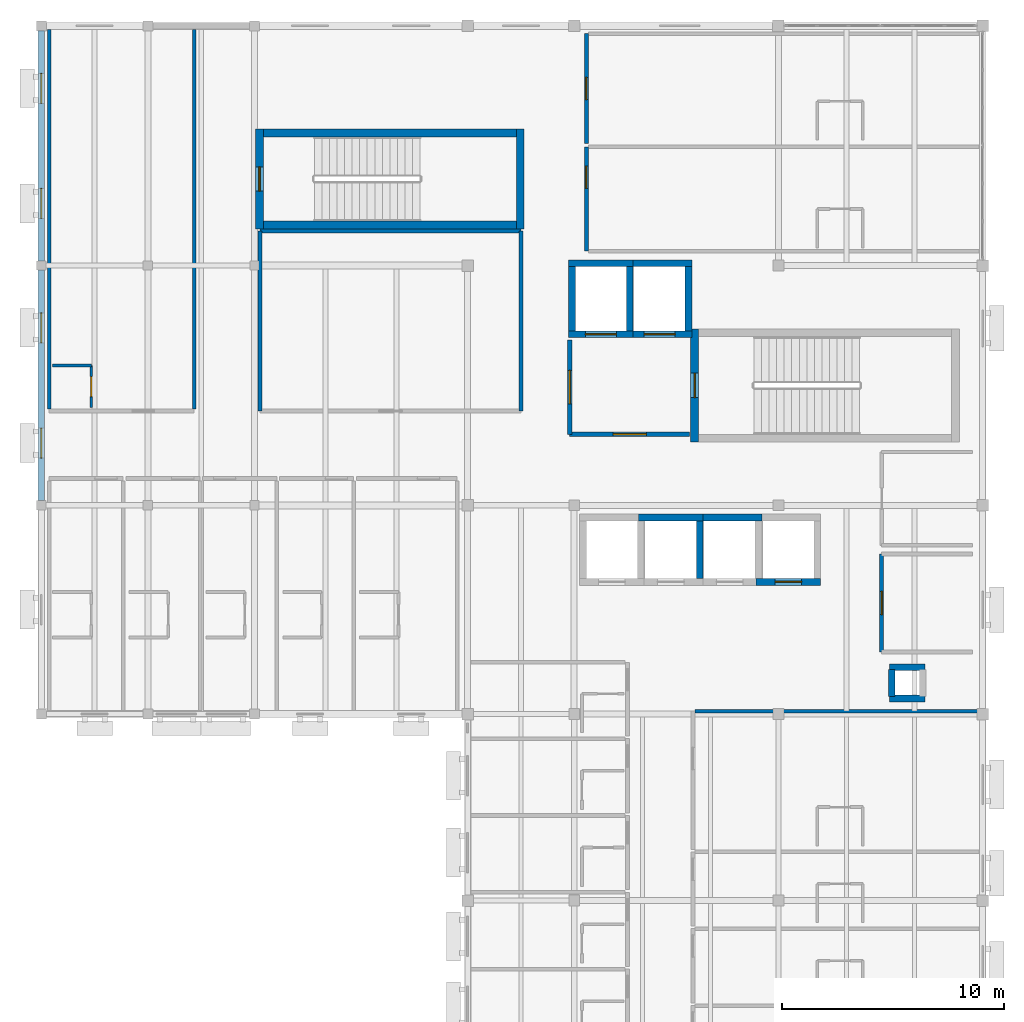
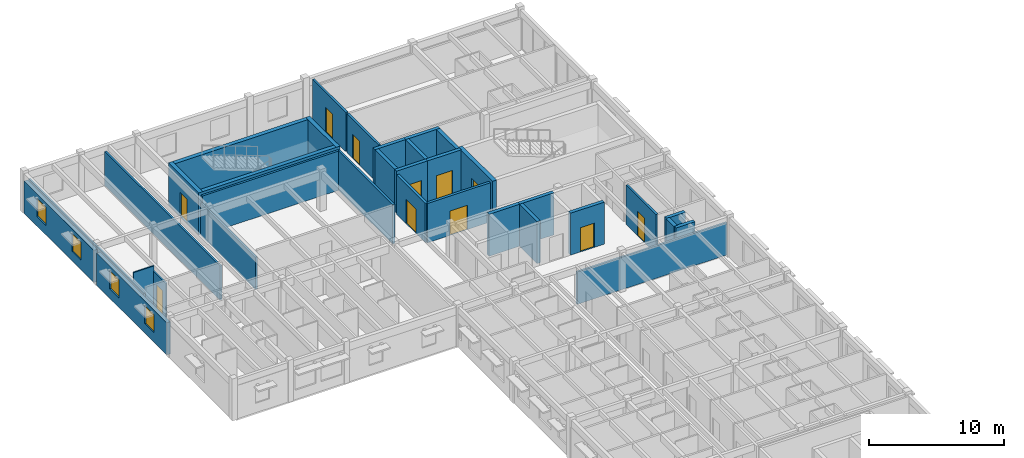
# One storey, part 14 of 20: 34 walls, 11 doors, 4 windows, 15 openings.
"""IFC4 building model written with IfcOpenShell, lengths in metres."""

from ifc_helpers import new_model, si_unit, direction, frame, frame_2d, origin, place, context, subcontext, project, spatial, rectangle, extrude, material, layer, layer_set, type_object, element, fill, save


model = new_model("IFC4")

# Units and contexts
model_context = context("Model", 3, precision=1e-05, world=origin(), true_north=direction((0.0, 1.0)))
body_context = subcontext(model_context, "Body", "Model", "MODEL_VIEW")
ifc_project = project(units=[si_unit("LENGTHUNIT", "METRE"), si_unit("AREAUNIT", "SQUARE_METRE"), si_unit("VOLUMEUNIT", "CUBIC_METRE"), si_unit("PLANEANGLEUNIT", "RADIAN"), si_unit("MASSUNIT", "GRAM", prefix="KILO")], contexts=[model_context])

# Site, building, storey
site_placement = place(None, origin())
site = spatial("IfcSite", under=ifc_project, at=site_placement, CompositionType="ELEMENT")
building_placement = place(site_placement, origin())
building = spatial("IfcBuilding", under=site, at=building_placement, Name="Veldera Park Congress Hotel", CompositionType="ELEMENT")
storey_placement = place(building_placement, frame((0.0, 0.0, 27.60009765625)))
storey = spatial("IfcBuildingStorey", under=building, at=storey_placement, Name="L06", CompositionType="ELEMENT", Elevation=27.60009765625)

# Wall, openings, windows
ifc_material_1 = material(Name="Cross-laminated timber CLT V2M1.1", Category="wood")
ifc_layer_1 = layer(ifc_material_1, 0.300048828125)
ifc_layer_set_1 = layer_set([ifc_layer_1], Name="Cross-laminated timber CLT V2M1.1")
wall_type_1 = type_object("IfcWallType", Name="EW-CLT300", PredefinedType="STANDARD", material=ifc_layer_set_1)
wall_1_placement = place(storey_placement, frame((41.60009765625, 57.777099609375, 0.0), z_axis=(0.0, 0.0, 1.0), x_axis=(0.0, -1.0, 0.0)))
wall_1 = element("IfcWall", 1, at=wall_1_placement, inside=storey, type_object=wall_type_1, Name="L06 Exterior Wall EW3-L06-0326", PredefinedType="STANDARD", context=body_context, shape_type="SweptSolid", body=[
    extrude(rectangle(XDim=10.369140625, YDim=0.300048828125, at=frame_2d((5.1845703125, 0.0))), origin(), (0.0, 0.0, 1.0), 2.909912109375),
])
opening_1_placement = place(wall_1_placement, frame((1.917236328125, 0.0, 0.85009765625)))
opening_1 = element("IfcOpeningElement", 2, at=opening_1_placement, cuts=wall_1, Name="Opening WIN-1350", PredefinedType="OPENING", context=body_context, shape_type="SweptSolid", body=[
    extrude(rectangle(XDim=1.35009765625, YDim=1.64990234375, at=frame_2d((0.675048828125, 0.824951171875))), frame((0.0, 0.162109375, 0.0), z_axis=(0.0, -1.0, 0.0), x_axis=(1.0, 0.0, 0.0)), (0.0, 0.0, 1.0), 0.323974609375),
])
opening_2_placement = place(wall_1_placement, frame((7.101806640625, 0.0, 0.85009765625)))
opening_2 = element("IfcOpeningElement", 3, at=opening_2_placement, cuts=wall_1, Name="Opening WIN-1350", PredefinedType="OPENING", context=body_context, shape_type="SweptSolid", body=[
    extrude(rectangle(XDim=1.35009765625, YDim=1.64990234375, at=frame_2d((0.675048828125, 0.824951171875))), frame((0.0, 0.162109375, 0.0), z_axis=(0.0, -1.0, 0.0), x_axis=(1.0, 0.0, 0.0)), (0.0, 0.0, 1.0), 0.323974609375),
])
ifc_material_2 = material(Name="Low-E Triple Insulating Glass Unit (SHGC 0.22)", Category="glass")
window_type = type_object("IfcWindowType", Name="WIN-1350", PartitioningType="SINGLE_PANEL", PredefinedType="WINDOW", material=ifc_material_2)
window_1_placement = place(opening_1_placement, origin())
window_1 = element("IfcWindow", 4, at=window_1_placement, inside=storey, type_object=window_type, Name="L06 Window WIN-1350 246", OverallHeight=1.64990234375, OverallWidth=1.35009765625, PartitioningType="SINGLE_PANEL", PredefinedType="WINDOW", context=body_context, shape_type="SweptSolid", body=[
    extrude(rectangle(XDim=1.35009765625, YDim=1.64990234375, at=frame_2d((0.675048828125, 0.824951171875))), frame((0.0, 0.030029296875, 0.0), z_axis=(0.0, -1.0, 0.0), x_axis=(1.0, 0.0, 0.0)), (0.0, 0.0, 1.0), 0.06005859375),
])
fill(opening_1, window_1)
window_2_placement = place(opening_2_placement, origin())
window_2 = element("IfcWindow", 5, at=window_2_placement, inside=storey, type_object=window_type, Name="L06 Window WIN-1350 247", OverallHeight=1.64990234375, OverallWidth=1.35009765625, PartitioningType="SINGLE_PANEL", PredefinedType="WINDOW", context=body_context, shape_type="SweptSolid", body=[
    extrude(rectangle(XDim=1.35009765625, YDim=1.64990234375, at=frame_2d((0.675048828125, 0.824951171875))), frame((0.0, 0.030029296875, 0.0), z_axis=(0.0, -1.0, 0.0), x_axis=(1.0, 0.0, 0.0)), (0.0, 0.0, 1.0), 0.06005859375),
])
fill(opening_2, window_2)

wall_2_placement = place(storey_placement, frame((41.60009765625, 46.991943359375, 0.0), z_axis=(0.0, 0.0, 1.0), x_axis=(0.0, -1.0, 0.0)))
wall_2 = element("IfcWall", 6, at=wall_2_placement, inside=storey, type_object=wall_type_1, Name="L06 Exterior Wall EW3-L06-0327", PredefinedType="STANDARD", context=body_context, shape_type="SweptSolid", body=[
    extrude(rectangle(XDim=10.384033203125, YDim=0.300048828125, at=frame_2d((5.19189453125, 0.0))), origin(), (0.0, 0.0, 1.0), 2.909912109375),
])
opening_3_placement = place(wall_2_placement, frame((1.9208984375, 0.0, 0.85009765625)))
opening_3 = element("IfcOpeningElement", 7, at=opening_3_placement, cuts=wall_2, Name="Opening WIN-1350", PredefinedType="OPENING", context=body_context, shape_type="SweptSolid", body=[
    extrude(rectangle(XDim=1.35009765625, YDim=1.64990234375, at=frame_2d((0.675048828125, 0.824951171875))), frame((0.0, 0.162109375, 0.0), z_axis=(0.0, -1.0, 0.0), x_axis=(1.0, 0.0, 0.0)), (0.0, 0.0, 1.0), 0.323974609375),
])
opening_4_placement = place(wall_2_placement, frame((7.113037109375, 0.0, 0.85009765625)))
opening_4 = element("IfcOpeningElement", 8, at=opening_4_placement, cuts=wall_2, Name="Opening WIN-1350", PredefinedType="OPENING", context=body_context, shape_type="SweptSolid", body=[
    extrude(rectangle(XDim=1.35009765625, YDim=1.64990234375, at=frame_2d((0.675048828125, 0.824951171875))), frame((0.0, 0.162109375, 0.0), z_axis=(0.0, -1.0, 0.0), x_axis=(1.0, 0.0, 0.0)), (0.0, 0.0, 1.0), 0.323974609375),
])
window_3_placement = place(opening_3_placement, origin())
window_3 = element("IfcWindow", 9, at=window_3_placement, inside=storey, type_object=window_type, Name="L06 Window WIN-1350 248", OverallHeight=1.64990234375, OverallWidth=1.35009765625, PartitioningType="SINGLE_PANEL", PredefinedType="WINDOW", context=body_context, shape_type="SweptSolid", body=[
    extrude(rectangle(XDim=1.35009765625, YDim=1.64990234375, at=frame_2d((0.675048828125, 0.824951171875))), frame((0.0, 0.030029296875, 0.0), z_axis=(0.0, -1.0, 0.0), x_axis=(1.0, 0.0, 0.0)), (0.0, 0.0, 1.0), 0.06005859375),
])
fill(opening_3, window_3)
window_4_placement = place(opening_4_placement, origin())
window_4 = element("IfcWindow", 10, at=window_4_placement, inside=storey, type_object=window_type, Name="L06 Window WIN-1350 249", OverallHeight=1.64990234375, OverallWidth=1.35009765625, PartitioningType="SINGLE_PANEL", PredefinedType="WINDOW", context=body_context, shape_type="SweptSolid", body=[
    extrude(rectangle(XDim=1.35009765625, YDim=1.64990234375, at=frame_2d((0.675048828125, 0.824951171875))), frame((0.0, 0.030029296875, 0.0), z_axis=(0.0, -1.0, 0.0), x_axis=(1.0, 0.0, 0.0)), (0.0, 0.0, 1.0), 0.06005859375),
])
fill(opening_4, window_4)

# Wall, opening, door
ifc_material_3 = material(Name="Fire-Rated Gypsum Board on Cold-Formed Steel Studs", Category="steel")
ifc_layer_2 = layer(ifc_material_3, 0.1201171875)
ifc_layer_set_2 = layer_set([ifc_layer_2], Name="Fire-Rated Gypsum Board on Cold-Formed Steel Studs")
wall_type_2 = type_object("IfcWallType", Name="IW-BATH120", PredefinedType="PARTITIONING", material=ifc_layer_set_2)
wall_3_placement = place(storey_placement, frame((43.85009765625, 40.800048828125, 0.0), z_axis=(0.0, 0.0, 1.0), x_axis=(0.0, 1.0, 0.0)))
wall_3 = element("IfcWall", 11, at=wall_3_placement, inside=storey, type_object=wall_type_2, Name="L06 Partition Wall IW3-L06-01372", PredefinedType="PARTITIONING", context=body_context, shape_type="SweptSolid", body=[
    extrude(rectangle(XDim=1.89990234375, YDim=0.1201171875, at=frame_2d((0.949951171875, 0.0))), origin(), (0.0, 0.0, 1.0), 3.099853515625),
])
opening_5_placement = place(wall_3_placement, frame((0.5, 0.0, 0.0)))
opening_5 = element("IfcOpeningElement", 12, at=opening_5_placement, cuts=wall_3, Name="Opening ID-BATH090", PredefinedType="OPENING", context=body_context, shape_type="SweptSolid", body=[
    extrude(rectangle(XDim=0.89990234375, YDim=2.14990234375, at=frame_2d((0.449951171875, 1.074951171875))), frame((0.0, 0.072021484375, 0.0), z_axis=(0.0, -1.0, 0.0), x_axis=(1.0, 0.0, 0.0)), (0.0, 0.0, 1.0), 0.14404296875),
])
ifc_material_4 = material(Name="Solid Core White Oak Architectural Door", Category="wood")
door_type_1 = type_object("IfcDoorType", Name="ID-BATH090", OperationType="NOTDEFINED", PredefinedType="DOOR", material=ifc_material_4)
door_1_placement = place(opening_5_placement, origin())
door_1 = element("IfcDoor", 13, at=door_1_placement, inside=storey, type_object=door_type_1, Name="L06 En-suite 216 Door ID3-L06-0571 (DR3-ID3-L06-0571)", OperationType="SINGLE_SWING_LEFT", OverallHeight=2.14990234375, OverallWidth=0.89990234375, PredefinedType="DOOR", context=body_context, shape_type="SweptSolid", body=[
    extrude(rectangle(XDim=0.89990234375, YDim=2.14990234375, at=frame_2d((0.449951171875, 1.074951171875))), frame((0.0, 0.02490234375, 0.0), z_axis=(0.0, -1.0, 0.0), x_axis=(1.0, 0.0, 0.0)), (0.0, 0.0, 1.0), 0.050048828125),
])
fill(opening_5, door_1)

# Wall
wall_4_placement = place(storey_placement, frame((42.10009765625, 42.699951171875, 0.0), z_axis=(0.0, 0.0, 1.0), x_axis=(1.0, 0.0, 0.0)))
element("IfcWall", 14, at=wall_4_placement, inside=storey, type_object=wall_type_2, Name="L06 Partition Wall IW3-L06-01373", PredefinedType="PARTITIONING", context=body_context, shape_type="SweptSolid", body=[
    extrude(rectangle(XDim=1.75, YDim=0.1201171875, at=frame_2d((0.875, 0.0))), origin(), (0.0, 0.0, 1.0), 3.554931640625),
])

# Wall, opening, door
ifc_layer_3 = layer(ifc_material_3, 0.179931640625)
ifc_layer_set_3 = layer_set([ifc_layer_3], Name="Fire-Rated Gypsum Board on Cold-Formed Steel Studs")
wall_type_3 = type_object("IfcWallType", Name="IW-CORR180", PredefinedType="PARTITIONING", material=ifc_layer_set_3)
wall_5_placement = place(storey_placement, frame((79.449951171875, 34.199951171875, 0.0), z_axis=(0.0, 0.0, 1.0), x_axis=(0.0, -1.0, 0.0)))
wall_5 = element("IfcWall", 15, at=wall_5_placement, inside=storey, type_object=wall_type_3, Name="L06 Partition Wall IW3-L06-00275", PredefinedType="PARTITIONING", context=body_context, shape_type="SweptSolid", body=[
    extrude(rectangle(XDim=4.39990234375, YDim=0.179931640625, at=frame_2d((2.199951171875, 0.0))), origin(), (0.0, 0.0, 1.0), 3.554931640625),
])
opening_6_placement = place(wall_5_placement, frame((1.675048828125, 0.0, 0.0)))
opening_6 = element("IfcOpeningElement", 16, at=opening_6_placement, cuts=wall_5, Name="Opening ID-MEET105", PredefinedType="OPENING", context=body_context, shape_type="SweptSolid", body=[
    extrude(rectangle(XDim=1.050048828125, YDim=2.199951171875, at=frame_2d((0.52490234375, 1.10009765625))), frame((0.0, 0.10205078125, 0.0), z_axis=(0.0, -1.0, 0.0), x_axis=(1.0, 0.0, 0.0)), (0.0, 0.0, 1.0), 0.203857421875),
])
door_type_2 = type_object("IfcDoorType", Name="ID-MEET105", OperationType="NOTDEFINED", PredefinedType="DOOR", material=ifc_material_4)
door_2_placement = place(opening_6_placement, origin())
door_2 = element("IfcDoor", 17, at=door_2_placement, inside=storey, type_object=door_type_2, Name="L06 L06 Housekeeping and Linen Store Door ID3-L06-0101 (DR3-ID3-L06-0101)", OperationType="SINGLE_SWING_RIGHT", OverallHeight=2.199951171875, OverallWidth=1.050048828125, PredefinedType="DOOR", context=body_context, shape_type="SweptSolid", body=[
    extrude(rectangle(XDim=1.050048828125, YDim=2.199951171875, at=frame_2d((0.52490234375, 1.10009765625))), frame((0.0, 0.02490234375, 0.0), z_axis=(0.0, -1.0, 0.0), x_axis=(1.0, 0.0, 0.0)), (0.0, 0.0, 1.0), 0.050048828125),
])
fill(opening_6, door_2)

# Walls
wall_6_placement = place(storey_placement, frame((63.199951171875, 40.64990234375, 0.0), z_axis=(0.0, 0.0, 1.0), x_axis=(0.0, 1.0, 0.0)))
element("IfcWall", 18, at=wall_6_placement, inside=storey, type_object=wall_type_3, Name="L06 Partition Wall IW3-L06-00280", PredefinedType="PARTITIONING", context=body_context, shape_type="SweptSolid", body=[
    extrude(rectangle(XDim=8.10009765625, YDim=0.179931640625, at=frame_2d((4.050048828125, 0.0))), origin(), (0.0, 0.0, 1.0), 3.554931640625),
])
wall_7_placement = place(storey_placement, frame((63.199951171875, 48.75, 0.0), z_axis=(0.0, 0.0, 1.0), x_axis=(-1.0, 0.0, 0.0)))
element("IfcWall", 19, at=wall_7_placement, inside=storey, type_object=wall_type_3, Name="L06 Partition Wall IW3-L06-00281", PredefinedType="PARTITIONING", context=body_context, shape_type="SweptSolid", body=[
    extrude(rectangle(XDim=11.75, YDim=0.179931640625, at=frame_2d((5.875, 0.0))), origin(), (0.0, 0.0, 1.0), 3.554931640625),
])
wall_8_placement = place(storey_placement, frame((51.449951171875, 48.75, 0.0), z_axis=(0.0, 0.0, 1.0), x_axis=(0.0, -1.0, 0.0)))
element("IfcWall", 20, at=wall_8_placement, inside=storey, type_object=wall_type_3, Name="L06 Partition Wall IW3-L06-00282", PredefinedType="PARTITIONING", context=body_context, shape_type="SweptSolid", body=[
    extrude(rectangle(XDim=8.10009765625, YDim=0.179931640625, at=frame_2d((4.050048828125, 0.0))), origin(), (0.0, 0.0, 1.0), 2.909912109375),
])

# Wall, opening, door
wall_9_placement = place(storey_placement, frame((66.14990234375, 52.550048828125, 0.0), z_axis=(0.0, 0.0, 1.0), x_axis=(0.0, -1.0, 0.0)))
wall_9 = element("IfcWall", 21, at=wall_9_placement, inside=storey, type_object=wall_type_3, Name="L06 Corridor Wall IW3-L06-01358", PredefinedType="PARTITIONING", context=body_context, shape_type="SweptSolid", body=[
    extrude(rectangle(XDim=4.699951171875, YDim=0.179931640625, at=frame_2d((2.35009765625, 0.0))), origin(), (0.0, 0.0, 1.0), 3.554931640625),
])
opening_7_placement = place(wall_9_placement, frame((0.8701171875, 0.0, 0.0)))
opening_7 = element("IfcOpeningElement", 22, at=opening_7_placement, cuts=wall_9, Name="Opening ID-UNIT100", PredefinedType="OPENING", context=body_context, shape_type="SweptSolid", body=[
    extrude(rectangle(XDim=1.0, YDim=2.199951171875, at=frame_2d((0.5, 1.10009765625))), frame((0.0, 0.10205078125, 0.0), z_axis=(0.0, -1.0, 0.0), x_axis=(1.0, 0.0, 0.0)), (0.0, 0.0, 1.0), 0.203857421875),
])
door_type_3 = type_object("IfcDoorType", Name="ID-UNIT100", OperationType="NOTDEFINED", PredefinedType="DOOR", material=ifc_material_4)
door_3_placement = place(opening_7_placement, origin())
door_3 = element("IfcDoor", 23, at=door_3_placement, inside=storey, type_object=door_type_3, Name="L06 Guestroom 214 Entry Door (DR3-UD3-L06-214)", OperationType="SINGLE_SWING_RIGHT", OverallHeight=2.199951171875, OverallWidth=1.0, PredefinedType="DOOR", context=body_context, shape_type="SweptSolid", body=[
    extrude(rectangle(XDim=1.0, YDim=2.199951171875, at=frame_2d((0.5, 1.10009765625))), frame((0.0, 0.02490234375, 0.0), z_axis=(0.0, -1.0, 0.0), x_axis=(1.0, 0.0, 0.0)), (0.0, 0.0, 1.0), 0.050048828125),
])
fill(opening_7, door_3)

wall_10_placement = place(storey_placement, frame((66.14990234375, 57.64990234375, 0.0), z_axis=(0.0, 0.0, 1.0), x_axis=(0.0, -1.0, 0.0)))
wall_10 = element("IfcWall", 24, at=wall_10_placement, inside=storey, type_object=wall_type_3, Name="L06 Corridor Wall IW3-L06-01364", PredefinedType="PARTITIONING", context=body_context, shape_type="SweptSolid", body=[
    extrude(rectangle(XDim=4.949951171875, YDim=0.179931640625, at=frame_2d((2.47509765625, 0.0))), origin(), (0.0, 0.0, 1.0), 3.554931640625),
])
opening_8_placement = place(wall_10_placement, frame((1.97509765625, 0.0, 0.0)))
opening_8 = element("IfcOpeningElement", 25, at=opening_8_placement, cuts=wall_10, Name="Opening ID-UNIT100", PredefinedType="OPENING", context=body_context, shape_type="SweptSolid", body=[
    extrude(rectangle(XDim=1.0, YDim=2.199951171875, at=frame_2d((0.5, 1.10009765625))), frame((0.0, 0.10205078125, 0.0), z_axis=(0.0, -1.0, 0.0), x_axis=(1.0, 0.0, 0.0)), (0.0, 0.0, 1.0), 0.203857421875),
])
door_4_placement = place(opening_8_placement, origin())
door_4 = element("IfcDoor", 26, at=door_4_placement, inside=storey, type_object=door_type_3, Name="L06 Guestroom 215 Entry Door (DR3-UD3-L06-215)", OperationType="SINGLE_SWING_RIGHT", OverallHeight=2.199951171875, OverallWidth=1.0, PredefinedType="DOOR", context=body_context, shape_type="SweptSolid", body=[
    extrude(rectangle(XDim=1.0, YDim=2.199951171875, at=frame_2d((0.5, 1.10009765625))), frame((0.0, 0.02490234375, 0.0), z_axis=(0.0, -1.0, 0.0), x_axis=(1.0, 0.0, 0.0)), (0.0, 0.0, 1.0), 0.050048828125),
])
fill(opening_8, door_4)

ifc_material_5 = material(Name="Concrete f'c 40 MPa (5,800 psi)", Category="concrete")
ifc_layer_4 = layer(ifc_material_5, 0.219970703125)
ifc_layer_set_4 = layer_set([ifc_layer_4], Name="Concrete f'c 40 MPa (5,800 psi)")
wall_type_4 = type_object("IfcWallType", Name="IW-FIRE220", PredefinedType="STANDARD", material=ifc_layer_set_4)
wall_11_placement = place(storey_placement, frame((65.39990234375, 39.60009765625, 0.0), z_axis=(0.0, 0.0, 1.0), x_axis=(1.0, 0.0, 0.0)))
wall_11 = element("IfcWall", 27, at=wall_11_placement, inside=storey, type_object=wall_type_4, Name="L06 Partition Wall IW3-L06-00268", PredefinedType="STANDARD", context=body_context, shape_type="SweptSolid", body=[
    extrude(rectangle(XDim=5.400146484375, YDim=0.219970703125, at=frame_2d((2.7001953125, 0.0))), origin(), (0.0, 0.0, 1.0), 3.554931640625),
])
opening_9_placement = place(wall_11_placement, frame((1.949951171875, 0.0, 0.0)))
opening_9 = element("IfcOpeningElement", 28, at=opening_9_placement, cuts=wall_11, Name="Opening ID-LOB150", PredefinedType="OPENING", context=body_context, shape_type="SweptSolid", body=[
    extrude(rectangle(XDim=1.5, YDim=2.199951171875, at=frame_2d((0.75, 1.10009765625))), frame((0.0, 0.1220703125, 0.0), z_axis=(0.0, -1.0, 0.0), x_axis=(1.0, 0.0, 0.0)), (0.0, 0.0, 1.0), 0.243896484375),
])
ifc_material_6 = material(Name="Hollow Metal Fire-Rated Steel Door", Category="steel")
door_type_4 = type_object("IfcDoorType", Name="ID-LOB150", OperationType="DOUBLE_DOOR_SINGLE_SWING", PredefinedType="DOOR", material=ifc_material_6)
door_5_placement = place(opening_9_placement, origin())
door_5 = element("IfcDoor", 29, at=door_5_placement, inside=storey, type_object=door_type_4, Name="L06 Firefighting Lobby Door ID3-L06-0098 (DR3-ID3-L06-0098)", OperationType="DOUBLE_DOOR_SINGLE_SWING", OverallHeight=2.199951171875, OverallWidth=1.5, PredefinedType="DOOR", context=body_context, shape_type="SweptSolid", body=[
    extrude(rectangle(XDim=1.5, YDim=2.199951171875, at=frame_2d((0.75, 1.10009765625))), frame((0.0, 0.02490234375, 0.0), z_axis=(0.0, -1.0, 0.0), x_axis=(1.0, 0.0, 0.0)), (0.0, 0.0, 1.0), 0.050048828125),
])
fill(opening_9, door_5)

wall_12_placement = place(storey_placement, frame((65.39990234375, 43.85009765625, 0.0), z_axis=(0.0, 0.0, 1.0), x_axis=(0.0, -1.0, 0.0)))
wall_12 = element("IfcWall", 30, at=wall_12_placement, inside=storey, type_object=wall_type_4, Name="L06 Partition Wall IW3-L06-00269", PredefinedType="STANDARD", context=body_context, shape_type="SweptSolid", body=[
    extrude(rectangle(XDim=4.25, YDim=0.219970703125, at=frame_2d((2.125, 0.0))), origin(), (0.0, 0.0, 1.0), 3.554931640625),
])
opening_10_placement = place(wall_12_placement, frame((1.375, 0.0, 0.0)))
opening_10 = element("IfcOpeningElement", 31, at=opening_10_placement, cuts=wall_12, Name="Opening ID-LOB150", PredefinedType="OPENING", context=body_context, shape_type="SweptSolid", body=[
    extrude(rectangle(XDim=1.5, YDim=2.199951171875, at=frame_2d((0.75, 1.10009765625))), frame((0.0, 0.1220703125, 0.0), z_axis=(0.0, -1.0, 0.0), x_axis=(1.0, 0.0, 0.0)), (0.0, 0.0, 1.0), 0.243896484375),
])
door_6_placement = place(opening_10_placement, origin())
door_6 = element("IfcDoor", 32, at=door_6_placement, inside=storey, type_object=door_type_4, Name="L06 Firefighting Lobby Door ID3-L06-0099 (DR3-ID3-L06-0099)", OperationType="DOUBLE_DOOR_SINGLE_SWING", OverallHeight=2.199951171875, OverallWidth=1.5, PredefinedType="DOOR", context=body_context, shape_type="SweptSolid", body=[
    extrude(rectangle(XDim=1.5, YDim=2.199951171875, at=frame_2d((0.75, 1.10009765625))), frame((0.0, 0.02490234375, 0.0), z_axis=(0.0, -1.0, 0.0), x_axis=(1.0, 0.0, 0.0)), (0.0, 0.0, 1.0), 0.050048828125),
])
fill(opening_10, door_6)

# Walls
ifc_layer_5 = layer(ifc_material_1, 0.159912109375)
ifc_layer_set_5 = layer_set([ifc_layer_5], Name="Cross-laminated timber CLT V2M1.1")
wall_type_5 = type_object("IfcWallType", Name="IW-UNIT160", PredefinedType="PARTITIONING", material=ifc_layer_set_5)
wall_13_placement = place(storey_placement, frame((71.050048828125, 27.1298828125, 0.0), z_axis=(0.0, 0.0, 1.0), x_axis=(1.0, 0.0, 0.0)))
element("IfcWall", 33, at=wall_13_placement, inside=storey, type_object=wall_type_5, Name="L06 Partition Wall IW3-L06-01328", PredefinedType="PARTITIONING", context=body_context, shape_type="SweptSolid", body=[
    extrude(rectangle(XDim=12.7900390625, YDim=0.159912109375, at=frame_2d((6.39501953125, 0.0))), origin(), (0.0, 0.0, 1.0), 2.929931640625),
])
wall_14_placement = place(storey_placement, frame((41.949951171875, 40.75, 0.0), z_axis=(0.0, 0.0, 1.0), x_axis=(0.0, 1.0, 0.0)))
element("IfcWall", 34, at=wall_14_placement, inside=storey, type_object=wall_type_5, Name="L06 Partition Wall IW3-L06-01370", PredefinedType="PARTITIONING", context=body_context, shape_type="SweptSolid", body=[
    extrude(rectangle(XDim=17.090087890625, YDim=0.159912109375, at=frame_2d((8.544921875, 0.0))), origin(), (0.0, 0.0, 1.0), 2.909912109375),
])
wall_15_placement = place(storey_placement, frame((48.47998046875, 40.75, 0.0), z_axis=(0.0, 0.0, 1.0), x_axis=(0.0, 1.0, 0.0)))
element("IfcWall", 35, at=wall_15_placement, inside=storey, type_object=wall_type_5, Name="L06 Partition Wall IW3-L06-01371", PredefinedType="PARTITIONING", context=body_context, shape_type="SweptSolid", body=[
    extrude(rectangle(XDim=17.090087890625, YDim=0.159912109375, at=frame_2d((8.544921875, 0.0))), origin(), (0.0, 0.0, 1.0), 3.099853515625),
])

# Wall, opening, door
ifc_layer_6 = layer(ifc_material_5, 0.35009765625)
ifc_layer_set_6 = layer_set([ifc_layer_6], Name="Concrete f'c 40 MPa (5,800 psi)")
wall_type_6 = type_object("IfcWallType", Name="SW-CORE350", PredefinedType="SHEAR", material=ifc_layer_set_6)
wall_16_placement = place(storey_placement, frame((71.02490234375, 44.35009765625, 0.0), z_axis=(0.0, 0.0, 1.0), x_axis=(0.0, -1.0, 0.0)))
wall_16 = element("IfcWall", 36, at=wall_16_placement, inside=storey, type_object=wall_type_6, Name="Stair ST1 Core Wall L06-W", PredefinedType="SHEAR", context=body_context, shape_type="SweptSolid", body=[
    extrude(rectangle(XDim=5.10009765625, YDim=0.35009765625, at=frame_2d((2.550048828125, 0.0))), origin(), (0.0, 0.0, 1.0), 3.7998046875),
])
opening_11_placement = place(wall_16_placement, frame((2.0, 0.0, 0.0)))
opening_11 = element("IfcOpeningElement", 37, at=opening_11_placement, cuts=wall_16, Name="Opening ID-STAIR110", PredefinedType="OPENING", context=body_context, shape_type="SweptSolid", body=[
    extrude(rectangle(XDim=1.10009765625, YDim=2.199951171875, at=frame_2d((0.550048828125, 1.10009765625))), frame((0.0, 0.18701171875, 0.0), z_axis=(0.0, -1.0, 0.0), x_axis=(1.0, 0.0, 0.0)), (0.0, 0.0, 1.0), 0.3740234375),
])
door_type_5 = type_object("IfcDoorType", Name="ID-STAIR110", OperationType="NOTDEFINED", PredefinedType="DOOR", material=ifc_material_6)
door_7_placement = place(opening_11_placement, origin())
door_7 = element("IfcDoor", 38, at=door_7_placement, inside=storey, type_object=door_type_5, Name="L06 Stair ST1 Fire Door (DR3-SD-ST1-L06)", OperationType="SINGLE_SWING_RIGHT", OverallHeight=2.199951171875, OverallWidth=1.10009765625, PredefinedType="DOOR", context=body_context, shape_type="SweptSolid", body=[
    extrude(rectangle(XDim=1.10009765625, YDim=2.199951171875, at=frame_2d((0.550048828125, 1.10009765625))), frame((0.0, 0.02490234375, 0.0), z_axis=(0.0, -1.0, 0.0), x_axis=(1.0, 0.0, 0.0)), (0.0, 0.0, 1.0), 0.050048828125),
])
fill(opening_11, door_7)

# Walls
wall_17_placement = place(storey_placement, frame((51.25, 49.02490234375, 0.0), z_axis=(0.0, 0.0, 1.0), x_axis=(1.0, 0.0, 0.0)))
element("IfcWall", 39, at=wall_17_placement, inside=storey, type_object=wall_type_6, Name="Stair ST3 Core Wall L06-S", PredefinedType="SHEAR", context=body_context, shape_type="SweptSolid", body=[
    extrude(rectangle(XDim=12.10009765625, YDim=0.35009765625, at=frame_2d((6.050048828125, 0.0))), origin(), (0.0, 0.0, 1.0), 3.7998046875),
])
wall_18_placement = place(storey_placement, frame((63.175048828125, 48.85009765625, 0.0), z_axis=(0.0, 0.0, 1.0), x_axis=(0.0, 1.0, 0.0)))
element("IfcWall", 40, at=wall_18_placement, inside=storey, type_object=wall_type_6, Name="Stair ST3 Core Wall L06-E", PredefinedType="SHEAR", context=body_context, shape_type="SweptSolid", body=[
    extrude(rectangle(XDim=4.5, YDim=0.35009765625, at=frame_2d((2.25, 0.0))), origin(), (0.0, 0.0, 1.0), 3.7998046875),
])
wall_19_placement = place(storey_placement, frame((63.35009765625, 53.175048828125, 0.0), z_axis=(0.0, 0.0, 1.0), x_axis=(-1.0, 0.0, 0.0)))
element("IfcWall", 41, at=wall_19_placement, inside=storey, type_object=wall_type_6, Name="Stair ST3 Core Wall L06-N", PredefinedType="SHEAR", context=body_context, shape_type="SweptSolid", body=[
    extrude(rectangle(XDim=12.10009765625, YDim=0.35009765625, at=frame_2d((6.050048828125, 0.0))), origin(), (0.0, 0.0, 1.0), 3.7998046875),
])

# Wall, opening, door
wall_20_placement = place(storey_placement, frame((51.425048828125, 53.35009765625, 0.0), z_axis=(0.0, 0.0, 1.0), x_axis=(0.0, -1.0, 0.0)))
wall_20 = element("IfcWall", 42, at=wall_20_placement, inside=storey, type_object=wall_type_6, Name="Stair ST3 Core Wall L06-W", PredefinedType="SHEAR", context=body_context, shape_type="SweptSolid", body=[
    extrude(rectangle(XDim=4.5, YDim=0.35009765625, at=frame_2d((2.25, 0.0))), origin(), (0.0, 0.0, 1.0), 3.7998046875),
])
opening_12_placement = place(wall_20_placement, frame((1.699951171875, 0.0, 0.0)))
opening_12 = element("IfcOpeningElement", 43, at=opening_12_placement, cuts=wall_20, Name="Opening ID-STAIR110", PredefinedType="OPENING", context=body_context, shape_type="SweptSolid", body=[
    extrude(rectangle(XDim=1.10009765625, YDim=2.199951171875, at=frame_2d((0.550048828125, 1.10009765625))), frame((0.0, 0.18701171875, 0.0), z_axis=(0.0, -1.0, 0.0), x_axis=(1.0, 0.0, 0.0)), (0.0, 0.0, 1.0), 0.3740234375),
])
door_8_placement = place(opening_12_placement, origin())
door_8 = element("IfcDoor", 44, at=door_8_placement, inside=storey, type_object=door_type_5, Name="L06 Stair ST3 Fire Door (DR3-SD-ST3-L06)", OperationType="SINGLE_SWING_RIGHT", OverallHeight=2.199951171875, OverallWidth=1.10009765625, PredefinedType="DOOR", context=body_context, shape_type="SweptSolid", body=[
    extrude(rectangle(XDim=1.10009765625, YDim=2.199951171875, at=frame_2d((0.550048828125, 1.10009765625))), frame((0.0, 0.02490234375, 0.0), z_axis=(0.0, -1.0, 0.0), x_axis=(1.0, 0.0, 0.0)), (0.0, 0.0, 1.0), 0.050048828125),
])
fill(opening_12, door_8)

# Walls
ifc_layer_7 = layer(ifc_material_5, 0.300048828125)
ifc_layer_set_7 = layer_set([ifc_layer_7], Name="Concrete f'c 40 MPa (5,800 psi)")
wall_type_7 = type_object("IfcWallType", Name="SW-SHFT300", PredefinedType="SHEAR", material=ifc_layer_set_7)
for number, where, z_axis, x_axis, name in (
    (45, (79.800048828125, 27.699951171875, 0.0), (0.0, 0.0, 1.0), (1.0, 0.0, 0.0), "MEP Riser Shaft Wall L06-S"),
    (46, (81.39990234375, 29.10009765625, 0.0), (0.0, 0.0, 1.0), (-1.0, 0.0, 0.0), "MEP Riser Shaft Wall L06-N"),
):
    element("IfcWall", number, at=place(storey_placement, frame(where, z_axis=z_axis, x_axis=x_axis)), inside=storey, type_object=wall_type_7, Name=name, PredefinedType="SHEAR", context=body_context, shape_type="SweptSolid", body=[
        extrude(rectangle(XDim=1.599853515625, YDim=0.300048828125, at=frame_2d((0.7998046875, 0.0))), origin(), (0.0, 0.0, 1.0), 3.554931640625),
    ])
wall_21_placement = place(storey_placement, frame((79.89990234375, 29.0, 0.0), z_axis=(0.0, 0.0, 1.0), x_axis=(0.0, -1.0, 0.0)))
element("IfcWall", 47, at=wall_21_placement, inside=storey, type_object=wall_type_7, Name="MEP Riser Shaft Wall L06-W", PredefinedType="SHEAR", context=body_context, shape_type="SweptSolid", body=[
    extrude(rectangle(XDim=1.199951171875, YDim=0.300048828125, at=frame_2d((0.60009765625, 0.0))), origin(), (0.0, 0.0, 1.0), 3.554931640625),
])

# Wall, opening, door
wall_22_placement = place(storey_placement, frame((65.35009765625, 44.10009765625, 0.0), z_axis=(0.0, 0.0, 1.0), x_axis=(1.0, 0.0, 0.0)))
wall_22 = element("IfcWall", 48, at=wall_22_placement, inside=storey, type_object=wall_type_7, Name="Lift FL-01 Shaft Wall L06-S", PredefinedType="SHEAR", context=body_context, shape_type="SweptSolid", body=[
    extrude(rectangle(XDim=2.89990234375, YDim=0.300048828125, at=frame_2d((1.449951171875, 0.0))), origin(), (0.0, 0.0, 1.0), 3.7998046875),
])
opening_13_placement = place(wall_22_placement, frame((0.75, 0.0, 0.0)))
opening_13 = element("IfcOpeningElement", 49, at=opening_13_placement, cuts=wall_22, Name="Opening LD-140", PredefinedType="OPENING", context=body_context, shape_type="SweptSolid", body=[
    extrude(rectangle(XDim=1.39990234375, YDim=2.199951171875, at=frame_2d((0.699951171875, 1.10009765625))), frame((0.0, 0.162109375, 0.0), z_axis=(0.0, -1.0, 0.0), x_axis=(1.0, 0.0, 0.0)), (0.0, 0.0, 1.0), 0.323974609375),
])
door_type_6 = type_object("IfcDoorType", Name="LD-140", OperationType="DOUBLE_DOOR_SLIDING", PredefinedType="DOOR", material=ifc_material_6)
door_9_placement = place(opening_13_placement, origin())
door_9 = element("IfcDoor", 50, at=door_9_placement, inside=storey, type_object=door_type_6, Name="L06 Lift FL-01 Landing Door (DR3-LD-FL-01-L06)", OperationType="DOUBLE_DOOR_SLIDING", OverallHeight=2.199951171875, OverallWidth=1.39990234375, PredefinedType="DOOR", context=body_context, shape_type="SweptSolid", body=[
    extrude(rectangle(XDim=1.39990234375, YDim=2.199951171875, at=frame_2d((0.699951171875, 1.10009765625))), frame((0.0, 0.02490234375, 0.0), z_axis=(0.0, -1.0, 0.0), x_axis=(1.0, 0.0, 0.0)), (0.0, 0.0, 1.0), 0.050048828125),
])
fill(opening_13, door_9)

# Walls
for number, where, z_axis, x_axis, name in (
    (51, (68.25, 47.300048828125, 0.0), (0.0, 0.0, 1.0), (-1.0, 0.0, 0.0), "Lift FL-01 Shaft Wall L06-N"),
    (52, (68.10009765625, 44.25, 0.0), (0.0, 0.0, 1.0), (0.0, 1.0, 0.0), "Lift FL-01 Shaft Wall L06-E"),
    (53, (65.5, 47.14990234375, 0.0), (0.0, 0.0, 1.0), (0.0, -1.0, 0.0), "Lift FL-01 Shaft Wall L06-W"),
):
    element("IfcWall", number, at=place(storey_placement, frame(where, z_axis=z_axis, x_axis=x_axis)), inside=storey, type_object=wall_type_7, Name=name, PredefinedType="SHEAR", context=body_context, shape_type="SweptSolid", body=[
        extrude(rectangle(XDim=2.89990234375, YDim=0.300048828125, at=frame_2d((1.449951171875, 0.0))), origin(), (0.0, 0.0, 1.0), 3.7998046875),
    ])

# Wall, opening, door
wall_23_placement = place(storey_placement, frame((68.0, 44.10009765625, 0.0), z_axis=(0.0, 0.0, 1.0), x_axis=(1.0, 0.0, 0.0)))
wall_23 = element("IfcWall", 54, at=wall_23_placement, inside=storey, type_object=wall_type_7, Name="Lift FL-02 Shaft Wall L06-S", PredefinedType="SHEAR", context=body_context, shape_type="SweptSolid", body=[
    extrude(rectangle(XDim=2.89990234375, YDim=0.300048828125, at=frame_2d((1.449951171875, 0.0))), origin(), (0.0, 0.0, 1.0), 3.7998046875),
])
opening_14_placement = place(wall_23_placement, frame((0.75, 0.0, 0.0)))
opening_14 = element("IfcOpeningElement", 55, at=opening_14_placement, cuts=wall_23, Name="Opening LD-140", PredefinedType="OPENING", context=body_context, shape_type="SweptSolid", body=[
    extrude(rectangle(XDim=1.39990234375, YDim=2.199951171875, at=frame_2d((0.699951171875, 1.10009765625))), frame((0.0, 0.162109375, 0.0), z_axis=(0.0, -1.0, 0.0), x_axis=(1.0, 0.0, 0.0)), (0.0, 0.0, 1.0), 0.323974609375),
])
door_10_placement = place(opening_14_placement, origin())
door_10 = element("IfcDoor", 56, at=door_10_placement, inside=storey, type_object=door_type_6, Name="L06 Lift FL-02 Landing Door (DR3-LD-FL-02-L06)", OperationType="DOUBLE_DOOR_SLIDING", OverallHeight=2.199951171875, OverallWidth=1.39990234375, PredefinedType="DOOR", context=body_context, shape_type="SweptSolid", body=[
    extrude(rectangle(XDim=1.39990234375, YDim=2.199951171875, at=frame_2d((0.699951171875, 1.10009765625))), frame((0.0, 0.02490234375, 0.0), z_axis=(0.0, -1.0, 0.0), x_axis=(1.0, 0.0, 0.0)), (0.0, 0.0, 1.0), 0.050048828125),
])
fill(opening_14, door_10)

# Walls
for number, where, z_axis, x_axis, name in (
    (57, (70.89990234375, 47.300048828125, 0.0), (0.0, 0.0, 1.0), (-1.0, 0.0, 0.0), "Lift FL-02 Shaft Wall L06-N"),
    (58, (70.75, 44.25, 0.0), (0.0, 0.0, 1.0), (0.0, 1.0, 0.0), "Lift FL-02 Shaft Wall L06-E"),
    (59, (71.39990234375, 35.85009765625, 0.0), (0.0, 0.0, 1.0), (-1.0, 0.0, 0.0), "Lift PL-02 Shaft Wall L06-N"),
):
    element("IfcWall", number, at=place(storey_placement, frame(where, z_axis=z_axis, x_axis=x_axis)), inside=storey, type_object=wall_type_7, Name=name, PredefinedType="SHEAR", context=body_context, shape_type="SweptSolid", body=[
        extrude(rectangle(XDim=2.89990234375, YDim=0.300048828125, at=frame_2d((1.449951171875, 0.0))), origin(), (0.0, 0.0, 1.0), 3.7998046875),
    ])
wall_24_placement = place(storey_placement, frame((71.25, 33.10009765625, 0.0), z_axis=(0.0, 0.0, 1.0), x_axis=(0.0, 1.0, 0.0)))
element("IfcWall", 60, at=wall_24_placement, inside=storey, type_object=wall_type_7, Name="Lift PL-02 Shaft Wall L06-E", PredefinedType="SHEAR", context=body_context, shape_type="SweptSolid", body=[
    extrude(rectangle(XDim=2.599853515625, YDim=0.300048828125, at=frame_2d((1.2998046875, 0.0))), origin(), (0.0, 0.0, 1.0), 3.7998046875),
])
wall_25_placement = place(storey_placement, frame((74.050048828125, 35.85009765625, 0.0), z_axis=(0.0, 0.0, 1.0), x_axis=(-1.0, 0.0, 0.0)))
element("IfcWall", 61, at=wall_25_placement, inside=storey, type_object=wall_type_7, Name="Lift PL-03 Shaft Wall L06-N", PredefinedType="SHEAR", context=body_context, shape_type="SweptSolid", body=[
    extrude(rectangle(XDim=2.900146484375, YDim=0.300048828125, at=frame_2d((1.4501953125, 0.0))), origin(), (0.0, 0.0, 1.0), 3.7998046875),
])

# Wall, opening, door
wall_26_placement = place(storey_placement, frame((73.800048828125, 32.949951171875, 0.0), z_axis=(0.0, 0.0, 1.0), x_axis=(1.0, 0.0, 0.0)))
wall_26 = element("IfcWall", 62, at=wall_26_placement, inside=storey, type_object=wall_type_7, Name="Lift PL-04 Shaft Wall L06-S", PredefinedType="SHEAR", context=body_context, shape_type="SweptSolid", body=[
    extrude(rectangle(XDim=2.89990234375, YDim=0.300048828125, at=frame_2d((1.449951171875, 0.0))), origin(), (0.0, 0.0, 1.0), 3.7998046875),
])
opening_15_placement = place(wall_26_placement, frame((0.85009765625, 0.0, 0.0)))
opening_15 = element("IfcOpeningElement", 63, at=opening_15_placement, cuts=wall_26, Name="Opening LD-120", PredefinedType="OPENING", context=body_context, shape_type="SweptSolid", body=[
    extrude(rectangle(XDim=1.199951171875, YDim=2.199951171875, at=frame_2d((0.60009765625, 1.10009765625))), frame((0.0, 0.162109375, 0.0), z_axis=(0.0, -1.0, 0.0), x_axis=(1.0, 0.0, 0.0)), (0.0, 0.0, 1.0), 0.323974609375),
])
door_type_7 = type_object("IfcDoorType", Name="LD-120", OperationType="DOUBLE_DOOR_SLIDING", PredefinedType="DOOR", material=ifc_material_6)
door_11_placement = place(opening_15_placement, origin())
door_11 = element("IfcDoor", 64, at=door_11_placement, inside=storey, type_object=door_type_7, Name="L06 Lift PL-04 Landing Door (DR3-LD-PL-04-L06)", OperationType="DOUBLE_DOOR_SLIDING", OverallHeight=2.199951171875, OverallWidth=1.199951171875, PredefinedType="DOOR", context=body_context, shape_type="SweptSolid", body=[
    extrude(rectangle(XDim=1.199951171875, YDim=2.199951171875, at=frame_2d((0.60009765625, 1.10009765625))), frame((0.0, 0.02490234375, 0.0), z_axis=(0.0, -1.0, 0.0), x_axis=(1.0, 0.0, 0.0)), (0.0, 0.0, 1.0), 0.050048828125),
])
fill(opening_15, door_11)

save(model, "model.ifc")
